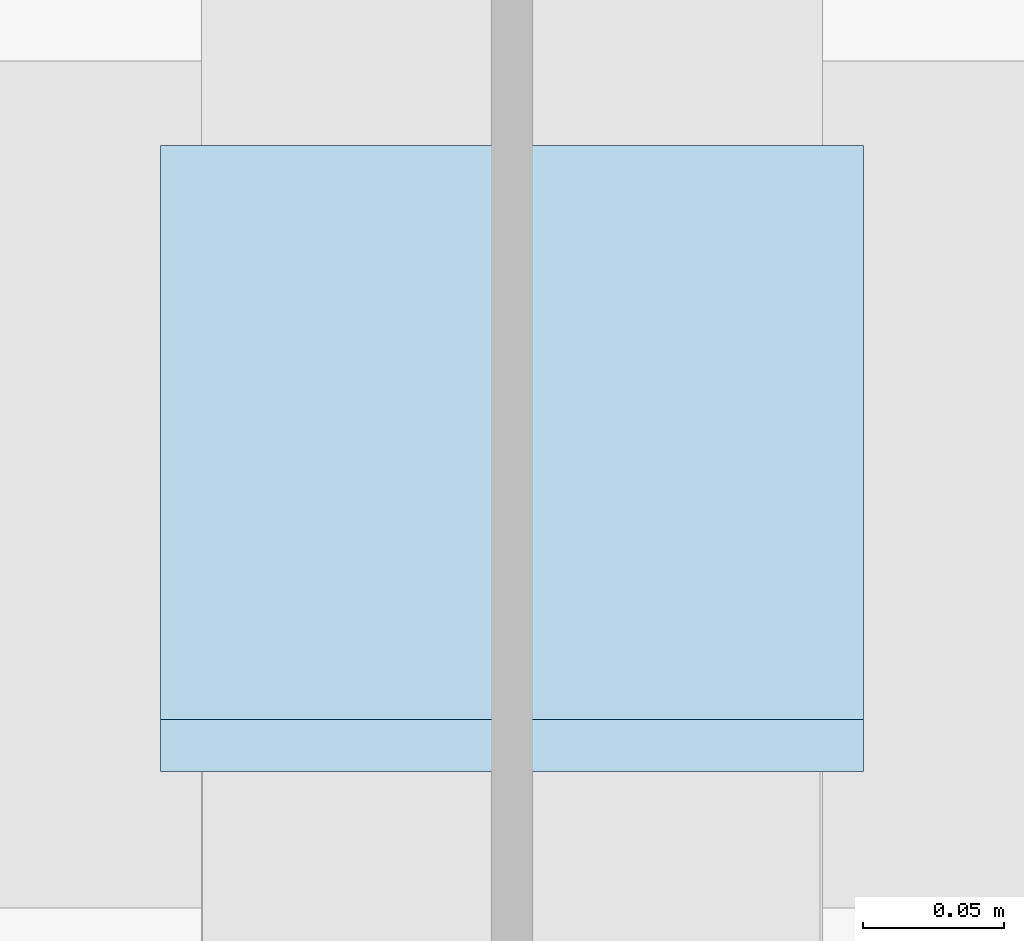
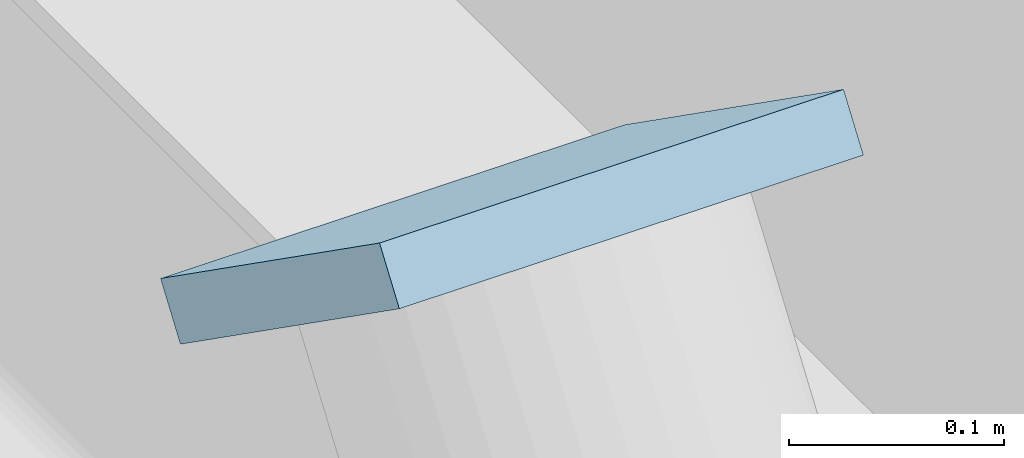
# One storey, part 109 of 145: 1 plate.
"""IFC4 building model written with IfcOpenShell, lengths in metres."""

from ifc_helpers import new_model, si_unit, direction, frame, origin, origin_2d, place, context, subcontext, project, spatial, rectangle, extrude, material, layer, layer_set, type_object, element, save


model = new_model("IFC4")

# Units and contexts
model_context = context("Model", 3, precision=1e-05, world=origin(), true_north=direction((0.0, 1.0)))
body_context = subcontext(model_context, "Body", "Model", "MODEL_VIEW")
ifc_project = project(units=[si_unit("LENGTHUNIT", "METRE"), si_unit("AREAUNIT", "SQUARE_METRE"), si_unit("VOLUMEUNIT", "CUBIC_METRE"), si_unit("PLANEANGLEUNIT", "RADIAN"), si_unit("MASSUNIT", "GRAM", prefix="KILO"), si_unit("THERMODYNAMICTEMPERATUREUNIT", "KELVIN"), si_unit("POWERUNIT", "WATT")], contexts=[model_context])

# Site, building, storey
site_placement = place(None, origin())
site = spatial("IfcSite", under=ifc_project, at=site_placement, CompositionType="ELEMENT")
building_placement = place(site_placement, origin())
building = spatial("IfcBuilding", under=site, at=building_placement, Name="Korenveer Ferry Terminal", CompositionType="ELEMENT")
storey_placement = place(building_placement, origin())
storey = spatial("IfcBuildingStorey", under=building, at=storey_placement, Name="L00", CompositionType="ELEMENT", Elevation=0.0)

# Plate
ifc_material = material(Name="Steel S355", Category="steel")
ifc_layer = layer(ifc_material, 0.031982421875)
ifc_layer_set = layer_set([ifc_layer], Name="Steel S355")
plate_type = type_object("IfcPlateType", Name="STR-PLT-CAP32", PredefinedType="USERDEFINED", material=ifc_layer_set)
plate_placement = place(storey_placement, frame((63.0, 60.0, 14.43017578125), z_axis=(0.0, 0.576312878962, 0.817229138946), x_axis=(-1.0, 0.0, 0.0)))
element("IfcPlate", 1, at=plate_placement, inside=storey, type_object=plate_type, Name="Hollow section end cap 176", ObjectType="END CAP PLATE", PredefinedType="USERDEFINED", context=body_context, shape_type="SweptSolid", body=[
    extrude(rectangle(XDim=0.2490234375, YDim=0.2490234375, at=origin_2d()), origin(), (0.0, 0.0, 1.0), 0.031982421875),
])

save(model, "model.ifc")
